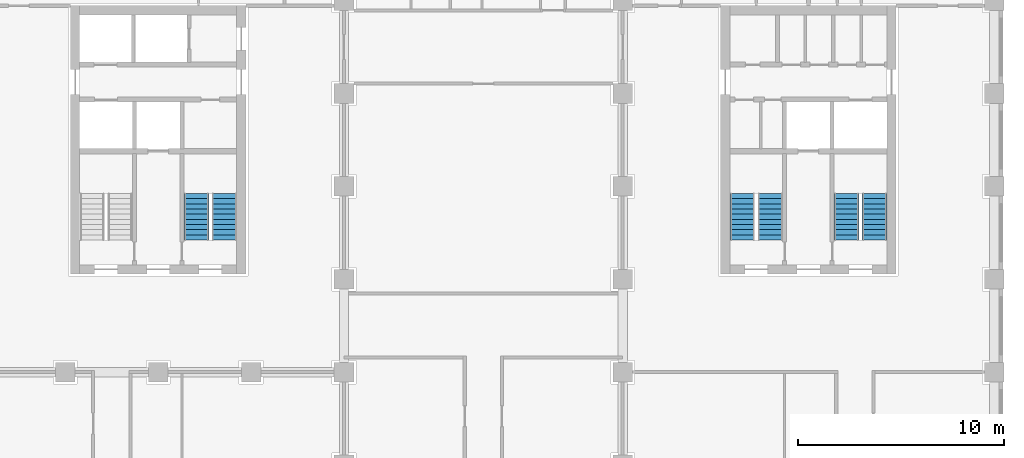
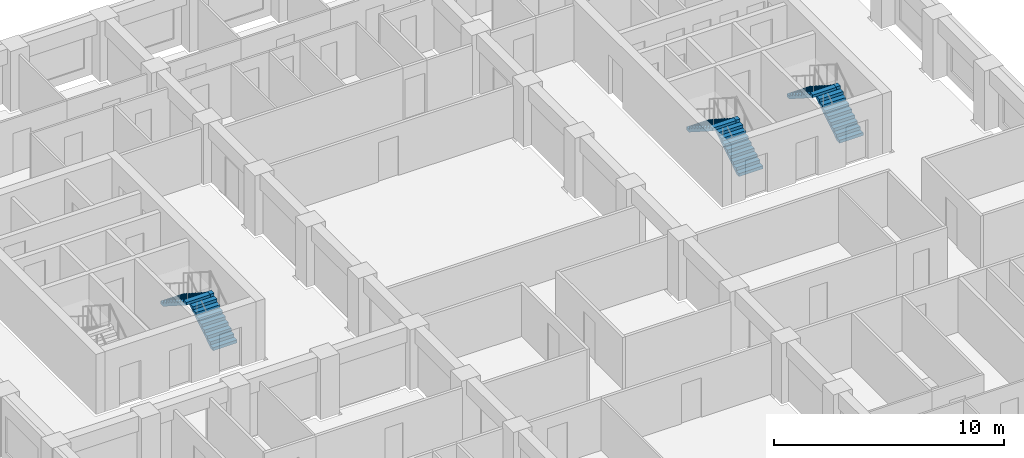
# One storey, part 10 of 13: 6 stair flights, 3 elements without a shape of their own.
"""IFC4 building model written with IfcOpenShell, lengths in metres."""

from ifc_helpers import new_model, si_unit, direction, frame, origin, place, context, subcontext, project, spatial, polyline, outline, extrude, material, type_object, element, aggregate, save


model = new_model("IFC4")

# Units and contexts
model_context = context("Model", 3, precision=1e-05, world=origin(), true_north=direction((0.0, 1.0)))
body_context = subcontext(model_context, "Body", "Model", "MODEL_VIEW")
ifc_project = project(units=[si_unit("LENGTHUNIT", "METRE"), si_unit("AREAUNIT", "SQUARE_METRE"), si_unit("VOLUMEUNIT", "CUBIC_METRE"), si_unit("PLANEANGLEUNIT", "RADIAN"), si_unit("MASSUNIT", "GRAM", prefix="KILO")], contexts=[model_context])

# Site, building, storey
site_placement = place(None, origin())
site = spatial("IfcSite", under=ifc_project, at=site_placement, CompositionType="ELEMENT")
building_placement = place(site_placement, origin())
building = spatial("IfcBuilding", under=site, at=building_placement, Name="Girih Gate Residences", CompositionType="ELEMENT")
storey_placement = place(building_placement, frame((0.0, 0.0, 130.199951171875)))
storey = spatial("IfcBuildingStorey", under=building, at=storey_placement, Name="L36", CompositionType="ELEMENT", Elevation=130.199951171875)

# Stair, stair flights
ifc_material = material(Name="Concrete C40/50", Category="concrete")
stair_type = type_object("IfcStairType", Name="Exit stair", PredefinedType="HALF_TURN_STAIR", material=ifc_material)
stair_1_placement = place(storey_placement, origin())
stair_1 = element("IfcStair", 1, at=stair_1_placement, inside=storey, type_object=stair_type, Name="L36 Exit Stair ST-W2", PredefinedType="HALF_TURN_STAIR")
stair_flight_type = type_object("IfcStairFlightType", Name="Stair flight 1200", PredefinedType="STRAIGHT", material=ifc_material)
stair_flight_1_placement = place(storey_placement, frame((12.199951171875, 28.89990234375, 0.0), z_axis=(0.0, 0.0, 1.0), x_axis=(0.0, 1.0, 0.0)))
stair_flight_1 = element("IfcStairFlight", 2, at=stair_flight_1_placement, type_object=stair_flight_type, Name="ST-W2 flight 1", NumberOfRisers=10, NumberOfTreads=9, PredefinedType="STRAIGHT", RiserHeight=0.16, TreadLength=0.25, context=body_context, shape_type="SweptSolid", body=[
    extrude(outline(polyline([(0.0, 0.0), (0.0, 0.159912109375), (0.25, 0.159912109375), (0.25, 0.320068359375), (0.5, 0.320068359375), (0.5, 0.47998046875), (0.75, 0.47998046875), (0.75, 0.639892578125), (1.0, 0.639892578125), (1.0, 0.800048828125), (1.25, 0.800048828125), (1.25, 0.9599609375), (1.5, 0.9599609375), (1.5, 1.1201171875), (1.75, 1.1201171875), (1.75, 1.280029296875), (2.0, 1.280029296875), (2.0, 1.43994140625), (2.25, 1.43994140625), (2.25, 1.60009765625), (2.25, 1.29736328125), (0.222900390625, 0.0), (0.0, 0.0)])), frame((0.0, 0.60009765625, 0.0), z_axis=(0.0, -1.0, 0.0), x_axis=(1.0, 0.0, 0.0)), (0.0, 0.0, 1.0), 1.199951171875),
])
stair_flight_2_placement = place(storey_placement, frame((10.85009765625, 31.14990234375, 1.60009765625), z_axis=(0.0, 0.0, 1.0), x_axis=(0.0, -1.0, 0.0)))
stair_flight_2 = element("IfcStairFlight", 3, at=stair_flight_2_placement, type_object=stair_flight_type, Name="ST-W2 flight 2", NumberOfRisers=10, NumberOfTreads=9, PredefinedType="STRAIGHT", RiserHeight=0.16, TreadLength=0.25, context=body_context, shape_type="SweptSolid", body=[
    extrude(outline(polyline([(0.0, 0.0), (0.0, 0.159912109375), (0.25, 0.159912109375), (0.25, 0.320068359375), (0.5, 0.320068359375), (0.5, 0.47998046875), (0.75, 0.47998046875), (0.75, 0.639892578125), (1.0, 0.639892578125), (1.0, 0.800048828125), (1.25, 0.800048828125), (1.25, 0.9599609375), (1.5, 0.9599609375), (1.5, 1.1201171875), (1.75, 1.1201171875), (1.75, 1.280029296875), (2.0, 1.280029296875), (2.0, 1.43994140625), (2.25, 1.43994140625), (2.25, 1.60009765625), (2.25, 1.29736328125), (0.222900390625, 0.0), (0.0, 0.0)])), frame((0.0, 0.60009765625, 0.0), z_axis=(0.0, -1.0, 0.0), x_axis=(1.0, 0.0, 0.0)), (0.0, 0.0, 1.0), 1.199951171875),
])
aggregate(stair_1, [stair_flight_1, stair_flight_2])

stair_2_placement = place(storey_placement, origin())
stair_2 = element("IfcStair", 4, at=stair_2_placement, inside=storey, type_object=stair_type, Name="L36 Exit Stair ST-E1", PredefinedType="HALF_TURN_STAIR")
stair_flight_3_placement = place(storey_placement, frame((43.699951171875, 28.89990234375, 0.0), z_axis=(0.0, 0.0, 1.0), x_axis=(0.0, 1.0, 0.0)))
stair_flight_3 = element("IfcStairFlight", 5, at=stair_flight_3_placement, type_object=stair_flight_type, Name="ST-E1 flight 1", NumberOfRisers=10, NumberOfTreads=9, PredefinedType="STRAIGHT", RiserHeight=0.16, TreadLength=0.25, context=body_context, shape_type="SweptSolid", body=[
    extrude(outline(polyline([(0.0, 0.0), (0.0, 0.159912109375), (0.25, 0.159912109375), (0.25, 0.320068359375), (0.5, 0.320068359375), (0.5, 0.47998046875), (0.75, 0.47998046875), (0.75, 0.639892578125), (1.0, 0.639892578125), (1.0, 0.800048828125), (1.25, 0.800048828125), (1.25, 0.9599609375), (1.5, 0.9599609375), (1.5, 1.1201171875), (1.75, 1.1201171875), (1.75, 1.280029296875), (2.0, 1.280029296875), (2.0, 1.43994140625), (2.25, 1.43994140625), (2.25, 1.60009765625), (2.25, 1.29736328125), (0.222900390625, 0.0), (0.0, 0.0)])), frame((0.0, 0.60009765625, 0.0), z_axis=(0.0, -1.0, 0.0), x_axis=(1.0, 0.0, 0.0)), (0.0, 0.0, 1.0), 1.199951171875),
])
stair_flight_4_placement = place(storey_placement, frame((42.35009765625, 31.14990234375, 1.60009765625), z_axis=(0.0, 0.0, 1.0), x_axis=(0.0, -1.0, 0.0)))
stair_flight_4 = element("IfcStairFlight", 6, at=stair_flight_4_placement, type_object=stair_flight_type, Name="ST-E1 flight 2", NumberOfRisers=10, NumberOfTreads=9, PredefinedType="STRAIGHT", RiserHeight=0.16, TreadLength=0.25, context=body_context, shape_type="SweptSolid", body=[
    extrude(outline(polyline([(0.0, 0.0), (0.0, 0.159912109375), (0.25, 0.159912109375), (0.25, 0.320068359375), (0.5, 0.320068359375), (0.5, 0.47998046875), (0.75, 0.47998046875), (0.75, 0.639892578125), (1.0, 0.639892578125), (1.0, 0.800048828125), (1.25, 0.800048828125), (1.25, 0.9599609375), (1.5, 0.9599609375), (1.5, 1.1201171875), (1.75, 1.1201171875), (1.75, 1.280029296875), (2.0, 1.280029296875), (2.0, 1.43994140625), (2.25, 1.43994140625), (2.25, 1.60009765625), (2.25, 1.29736328125), (0.222900390625, 0.0), (0.0, 0.0)])), frame((0.0, 0.60009765625, 0.0), z_axis=(0.0, -1.0, 0.0), x_axis=(1.0, 0.0, 0.0)), (0.0, 0.0, 1.0), 1.199951171875),
])
aggregate(stair_2, [stair_flight_3, stair_flight_4])

stair_3_placement = place(storey_placement, origin())
stair_3 = element("IfcStair", 7, at=stair_3_placement, inside=storey, type_object=stair_type, Name="L36 Exit Stair ST-E2", PredefinedType="HALF_TURN_STAIR")
stair_flight_5_placement = place(storey_placement, frame((38.64990234375, 28.89990234375, 0.0), z_axis=(0.0, 0.0, 1.0), x_axis=(0.0, 1.0, 0.0)))
stair_flight_5 = element("IfcStairFlight", 8, at=stair_flight_5_placement, type_object=stair_flight_type, Name="ST-E2 flight 1", NumberOfRisers=10, NumberOfTreads=9, PredefinedType="STRAIGHT", RiserHeight=0.16, TreadLength=0.25, context=body_context, shape_type="SweptSolid", body=[
    extrude(outline(polyline([(0.0, 0.0), (0.0, 0.159912109375), (0.25, 0.159912109375), (0.25, 0.320068359375), (0.5, 0.320068359375), (0.5, 0.47998046875), (0.75, 0.47998046875), (0.75, 0.639892578125), (1.0, 0.639892578125), (1.0, 0.800048828125), (1.25, 0.800048828125), (1.25, 0.9599609375), (1.5, 0.9599609375), (1.5, 1.1201171875), (1.75, 1.1201171875), (1.75, 1.280029296875), (2.0, 1.280029296875), (2.0, 1.43994140625), (2.25, 1.43994140625), (2.25, 1.60009765625), (2.25, 1.29736328125), (0.222900390625, 0.0), (0.0, 0.0)])), frame((0.0, 0.60009765625, 0.0), z_axis=(0.0, -1.0, 0.0), x_axis=(1.0, 0.0, 0.0)), (0.0, 0.0, 1.0), 1.199951171875),
])
stair_flight_6_placement = place(storey_placement, frame((37.300048828125, 31.14990234375, 1.60009765625), z_axis=(0.0, 0.0, 1.0), x_axis=(0.0, -1.0, 0.0)))
stair_flight_6 = element("IfcStairFlight", 9, at=stair_flight_6_placement, type_object=stair_flight_type, Name="ST-E2 flight 2", NumberOfRisers=10, NumberOfTreads=9, PredefinedType="STRAIGHT", RiserHeight=0.16, TreadLength=0.25, context=body_context, shape_type="SweptSolid", body=[
    extrude(outline(polyline([(0.0, 0.0), (0.0, 0.159912109375), (0.25, 0.159912109375), (0.25, 0.320068359375), (0.5, 0.320068359375), (0.5, 0.47998046875), (0.75, 0.47998046875), (0.75, 0.639892578125), (1.0, 0.639892578125), (1.0, 0.800048828125), (1.25, 0.800048828125), (1.25, 0.9599609375), (1.5, 0.9599609375), (1.5, 1.1201171875), (1.75, 1.1201171875), (1.75, 1.280029296875), (2.0, 1.280029296875), (2.0, 1.43994140625), (2.25, 1.43994140625), (2.25, 1.60009765625), (2.25, 1.29736328125), (0.222900390625, 0.0), (0.0, 0.0)])), frame((0.0, 0.60009765625, 0.0), z_axis=(0.0, -1.0, 0.0), x_axis=(1.0, 0.0, 0.0)), (0.0, 0.0, 1.0), 1.199951171875),
])
aggregate(stair_3, [stair_flight_5, stair_flight_6])

save(model, "model.ifc")
